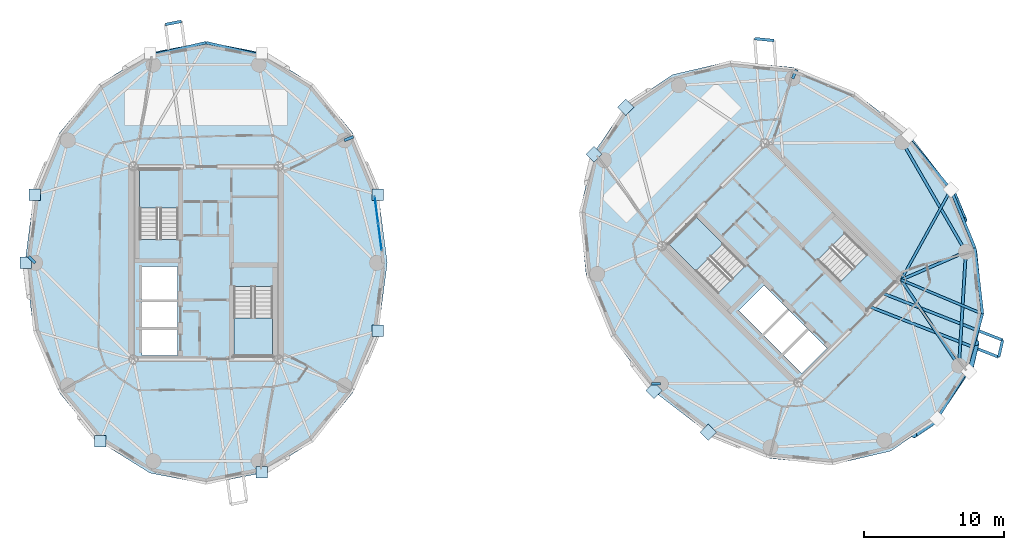
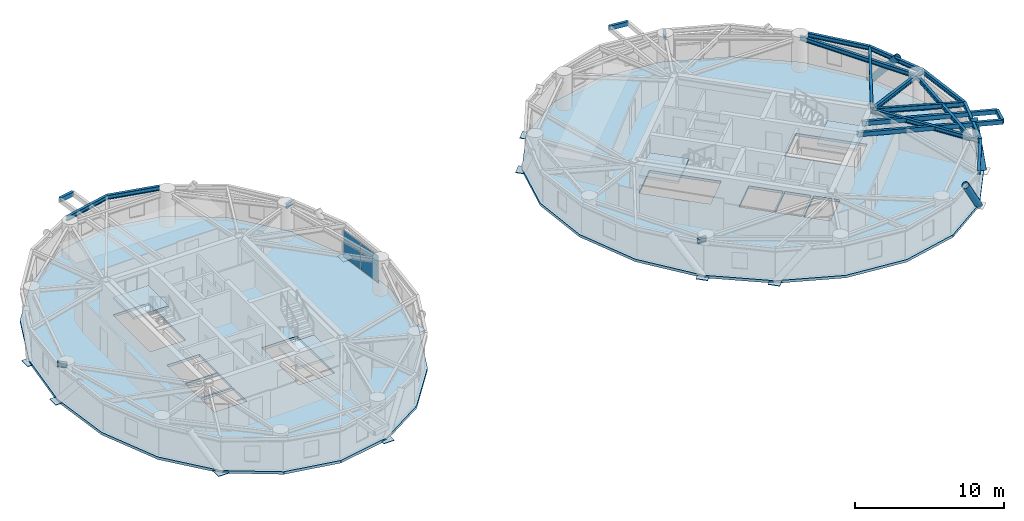
# One storey, part 6 of 14: 22 beams, 14 plates, 6 slabs, 3 members, 5 elements without a shape of their own.
"""IFC4 building model written with IfcOpenShell, lengths in metres."""

from ifc_helpers import new_model, si_unit, direction, frame, origin, origin_2d, place, context, subcontext, project, spatial, polyline, rectangle, hollow_rectangle, hollow_circle, i_section, outline, extrude, source, transform, mapped, material, layer, layer_set, material_profile, profile_set, type_object, element, aggregate, save


model = new_model("IFC4")

# Units and contexts
model_context = context("Model", 3, precision=1e-05, world=origin(), true_north=direction((0.0, 1.0)))
body_context = subcontext(model_context, "Body", "Model", "MODEL_VIEW")
ifc_project = project(units=[si_unit("LENGTHUNIT", "METRE"), si_unit("AREAUNIT", "SQUARE_METRE"), si_unit("VOLUMEUNIT", "CUBIC_METRE"), si_unit("PLANEANGLEUNIT", "RADIAN"), si_unit("MASSUNIT", "GRAM", prefix="KILO")], contexts=[model_context])

# Site, building, storey
site_placement = place(None, origin())
site = spatial("IfcSite", under=ifc_project, at=site_placement, CompositionType="ELEMENT")
building_placement = place(site_placement, origin())
building = spatial("IfcBuilding", under=site, at=building_placement, Name="Cununo Teusaquillo Station Towers", CompositionType="ELEMENT")
storey_placement = place(building_placement, frame((0.0, 0.0, 202.47998046875)))
storey = spatial("IfcBuildingStorey", under=building, at=storey_placement, Name="L64", CompositionType="ELEMENT", Elevation=202.47998046875)

# Beams
ifc_material_1 = material(Name="Steel EN 10025-2 S355J2", Category="steel")
ifc_material_profile_1 = material_profile(ifc_material_1, hollow_rectangle(XDim=0.199951171875, YDim=0.35009765625, WallThickness=0.013916015625, at=origin_2d()), Name="RHS 350x200x14")
ifc_profile_set_1 = profile_set([ifc_material_profile_1], Name="Steel EN 10025-2 S355J2")
beam_type_1 = type_object("IfcBeamType", Name="BM-BAL-CANT", PredefinedType="BEAM", material=ifc_profile_set_1)
beam_1_placement = place(storey_placement, frame((63.785888671875, 21.38134765625, 2.52490234375), z_axis=(0.931262493406, -0.364348965109, 0.0), x_axis=(0.364348965109, 0.931262493406, 0.0)))
element("IfcBeam", 1, at=beam_1_placement, inside=storey, type_object=beam_type_1, Name="L64 Tower B Balcony Cantilever Bracket 2A", PredefinedType="BEAM", context=body_context, shape_type="SweptSolid", body=[
    extrude(hollow_rectangle(XDim=0.199951171875, YDim=0.35009765625, WallThickness=0.013916015625, at=origin_2d()), origin(), (0.0, 0.0, 1.0), 9.8662109375),
])
beam_2_placement = place(storey_placement, frame((64.73388671875, 22.329345703125, 2.52490234375), z_axis=(0.931259704605, -0.364356093101, 0.0), x_axis=(0.364356093101, 0.931259704605, 0.0)))
element("IfcBeam", 2, at=beam_2_placement, inside=storey, type_object=beam_type_1, Name="L64 Tower B Balcony Cantilever Bracket 2B", PredefinedType="BEAM", context=body_context, shape_type="SweptSolid", body=[
    extrude(hollow_rectangle(XDim=0.199951171875, YDim=0.35009765625, WallThickness=0.013916015625, at=origin_2d()), origin(), (0.0, 0.0, 1.0), 9.151123046875),
])
ifc_material_2 = material(Name="Steel ASTM A572 Grade 50", Category="steel")
ifc_material_profile_2 = material_profile(ifc_material_2, i_section(OverallWidth=0.180908203125, OverallDepth=0.4169921875, WebThickness=0.010986328125, FlangeThickness=0.018310546875, FilletRadius=0.012939453125, at=origin_2d()), Name="W16X57")
ifc_profile_set_2 = profile_set([ifc_material_profile_2], Name="Steel ASTM A572 Grade 50")
beam_type_2 = type_object("IfcBeamType", Name="BM-JOIST-1", PredefinedType="JOIST", material=ifc_profile_set_2)
beam_3_placement = place(storey_placement, frame((66.024169921875, 23.29443359375, 2.491455078125), z_axis=(0.922169338565, -0.386786389381, 0.0), x_axis=(0.386786389381, 0.922169338565, 0.0)))
element("IfcBeam", 3, at=beam_3_placement, inside=storey, type_object=beam_type_2, Name="L64 Tower B Radial Spandrel Joist V17", PredefinedType="JOIST", context=body_context, shape_type="SweptSolid", body=[
    extrude(i_section(OverallWidth=0.180908203125, OverallDepth=0.4169921875, WebThickness=0.010986328125, FlangeThickness=0.018310546875, FilletRadius=0.012939453125, at=origin_2d()), origin(), (0.0, 0.0, 1.0), 6.281005859375),
])
beam_4_placement = place(storey_placement, frame((66.024169921875, 23.29443359375, 2.491455078125), z_axis=(0.483552544108, 0.8753153358, 0.0), x_axis=(-0.8753153358, 0.483552544108, 0.0)))
element("IfcBeam", 4, at=beam_4_placement, inside=storey, type_object=beam_type_2, Name="L64 Tower B Radial Spandrel Joist V19", PredefinedType="JOIST", context=body_context, shape_type="SweptSolid", body=[
    extrude(i_section(OverallWidth=0.180908203125, OverallDepth=0.4169921875, WebThickness=0.010986328125, FlangeThickness=0.018310546875, FilletRadius=0.012939453125, at=origin_2d()), origin(), (0.0, 0.0, 1.0), 7.3330078125),
])
ifc_material_3 = material(Name="Steel ASTM A572 Grade 50", Category="steel")
ifc_material_profile_3 = material_profile(ifc_material_3, i_section(OverallWidth=0.2041015625, OverallDepth=0.35009765625, WebThickness=0.008544921875, FlangeThickness=0.01513671875, FilletRadius=0.011962890625, at=origin_2d()), Name="W14X48")
ifc_profile_set_3 = profile_set([ifc_material_profile_3], Name="Steel ASTM A572 Grade 50")
beam_type_3 = type_object("IfcBeamType", Name="BM-RAD-G3", PredefinedType="BEAM", material=ifc_profile_set_3)
beam_5_placement = place(storey_placement, frame((26.347412109375, 33.228515625, 2.52490234375), z_axis=(0.929761307449, 0.368162886738, 0.0), x_axis=(-0.368162886738, 0.929761307449, 0.0)))
element("IfcBeam", 5, at=beam_5_placement, inside=storey, type_object=beam_type_3, Name="L64 Tower A Perimeter Overhang Girder 02B", PredefinedType="BEAM", context=body_context, shape_type="SweptSolid", body=[
    extrude(i_section(OverallWidth=0.2041015625, OverallDepth=0.35009765625, WebThickness=0.008544921875, FlangeThickness=0.01513671875, FilletRadius=0.011962890625, at=origin_2d()), origin(), (0.0, 0.0, 1.0), 0.691650390625),
])
beam_6_placement = place(storey_placement, frame((4.327880859375, 24.5, 2.52490234375), z_axis=(-0.712904743691, 0.701260883283, 0.0), x_axis=(-0.701260883283, -0.712904743691, 0.0)))
element("IfcBeam", 6, at=beam_6_placement, inside=storey, type_object=beam_type_3, Name="L64 Tower A Perimeter Overhang Girder 06B", PredefinedType="BEAM", context=body_context, shape_type="SweptSolid", body=[
    extrude(i_section(OverallWidth=0.2041015625, OverallDepth=0.35009765625, WebThickness=0.008544921875, FlangeThickness=0.01513671875, FilletRadius=0.011962890625, at=origin_2d()), origin(), (0.0, 0.0, 1.0), 0.64990234375),
])
beam_7_placement = place(storey_placement, frame((58.291015625, 37.63525390625, 2.52490234375), z_axis=(0.397409333503, 0.917641445034, 0.0), x_axis=(-0.917641445034, 0.397409333503, 0.0)))
element("IfcBeam", 7, at=beam_7_placement, inside=storey, type_object=beam_type_3, Name="L64 Tower B Perimeter Overhang Girder 02B", PredefinedType="BEAM", context=body_context, shape_type="SweptSolid", body=[
    extrude(i_section(OverallWidth=0.2041015625, OverallDepth=0.35009765625, WebThickness=0.008544921875, FlangeThickness=0.01513671875, FilletRadius=0.011962890625, at=origin_2d()), origin(), (0.0, 0.0, 1.0), 0.691650390625),
])
beam_8_placement = place(storey_placement, frame((48.89306640625, 15.89306640625, 2.52490234375), z_axis=(-0.999962704276, -0.008636553586, 0.0), x_axis=(0.008636553586, -0.999962704276, 0.0)))
element("IfcBeam", 8, at=beam_8_placement, inside=storey, type_object=beam_type_3, Name="L64 Tower B Perimeter Overhang Girder 06B", PredefinedType="BEAM", context=body_context, shape_type="SweptSolid", body=[
    extrude(i_section(OverallWidth=0.2041015625, OverallDepth=0.35009765625, WebThickness=0.008544921875, FlangeThickness=0.01513671875, FilletRadius=0.011962890625, at=origin_2d()), origin(), (0.0, 0.0, 1.0), 0.650146484375),
])
beam_9_placement = place(storey_placement, frame((66.024169921875, 23.29443359375, 2.52490234375), z_axis=(0.558570844079, -0.829456817529, 0.0), x_axis=(0.829456817529, 0.558570844079, 0.0)))
element("IfcBeam", 9, at=beam_9_placement, inside=storey, type_object=beam_type_3, Name="L64 Tower B Continuous Overhanging Radial Girder 09", PredefinedType="BEAM", context=body_context, shape_type="SweptSolid", body=[
    extrude(i_section(OverallWidth=0.2041015625, OverallDepth=0.35009765625, WebThickness=0.008544921875, FlangeThickness=0.01513671875, FilletRadius=0.011962890625, at=origin_2d()), origin(), (0.0, 0.0, 1.0), 8.1240234375),
])
beam_10_placement = place(storey_placement, frame((66.024169921875, 23.29443359375, 2.52490234375), z_axis=(0.917665176837, 0.397354530893, 0.0), x_axis=(-0.397354530893, 0.917665176837, 0.0)))
element("IfcBeam", 10, at=beam_10_placement, inside=storey, type_object=beam_type_3, Name="L64 Tower B Continuous Overhanging Radial Girder 10", PredefinedType="BEAM", context=body_context, shape_type="SweptSolid", body=[
    extrude(i_section(OverallWidth=0.2041015625, OverallDepth=0.35009765625, WebThickness=0.008544921875, FlangeThickness=0.01513671875, FilletRadius=0.011962890625, at=origin_2d()), origin(), (0.0, 0.0, 1.0), 5.716552734375),
])
ifc_material_4 = material(Name="Steel ASTM A572 Grade 50", Category="steel")
ifc_material_profile_4 = material_profile(ifc_material_4, i_section(OverallWidth=0.2041015625, OverallDepth=0.35009765625, WebThickness=0.008544921875, FlangeThickness=0.01513671875, FilletRadius=0.011962890625, at=origin_2d()), Name="W14X48")
ifc_profile_set_4 = profile_set([ifc_material_profile_4], Name="Steel ASTM A572 Grade 50")
beam_type_4 = type_object("IfcBeamType", Name="BM-RING-Z4", PredefinedType="SPANDREL", material=ifc_profile_set_4)
for number, where, z_axis, x_axis, name in (
    (11, (20.118896484375, 39.353515625, 2.52490234375), (-0.97431470066, 0.225190728224, 0.0), (-0.225190728224, -0.97431470066, 0.0), "L64 Tower A Spandrel Ring Beam 05"),
    (12, (16.5, 40.18994140625, 2.52490234375), (-0.97431470066, -0.225190728224, 0.0), (0.225190728224, -0.97431470066, 0.0), "L64 Tower A Spandrel Ring Beam 06"),
):
    element("IfcBeam", number, at=place(storey_placement, frame(where, z_axis=z_axis, x_axis=x_axis)), inside=storey, type_object=beam_type_4, Name=name, PredefinedType="SPANDREL", context=body_context, shape_type="SweptSolid", body=[
        extrude(i_section(OverallWidth=0.2041015625, OverallDepth=0.35009765625, WebThickness=0.008544921875, FlangeThickness=0.01513671875, FilletRadius=0.011962890625, at=origin_2d()), origin(), (0.0, 0.0, 1.0), 3.71435546875),
    ])
beam_11_placement = place(storey_placement, frame((70.146240234375, 17.173095703125, 2.52490234375), z_axis=(0.06012979176, 0.998190567048, 0.0), x_axis=(-0.998190567048, 0.06012979176, 0.0)))
element("IfcBeam", 13, at=beam_11_placement, inside=storey, type_object=beam_type_4, Name="L64 Tower B Structural Column Ring Girder 09", PredefinedType="SPANDREL", context=body_context, shape_type="SweptSolid", body=[
    extrude(i_section(OverallWidth=0.2041015625, OverallDepth=0.35009765625, WebThickness=0.008544921875, FlangeThickness=0.01513671875, FilletRadius=0.011962890625, at=origin_2d()), origin(), (0.0, 0.0, 1.0), 8.132568359375),
])
beam_12_placement = place(storey_placement, frame((70.63525390625, 25.291015625, 2.52490234375), z_axis=(-0.501311121078, 0.865267103202, 0.0), x_axis=(-0.865267103202, -0.501311121078, 0.0)))
element("IfcBeam", 14, at=beam_12_placement, inside=storey, type_object=beam_type_4, Name="L64 Tower B Structural Column Ring Girder 10", PredefinedType="SPANDREL", context=body_context, shape_type="SweptSolid", body=[
    extrude(i_section(OverallWidth=0.2041015625, OverallDepth=0.35009765625, WebThickness=0.008544921875, FlangeThickness=0.01513671875, FilletRadius=0.011962890625, at=origin_2d()), origin(), (0.0, 0.0, 1.0), 9.032958984375),
])
beam_13_placement = place(storey_placement, frame((68.594482421875, 13.405517578125, 2.52490234375), z_axis=(0.529715312739, 0.848175505099, 0.0), x_axis=(-0.848175505099, 0.529715312739, 0.0)))
element("IfcBeam", 15, at=beam_13_placement, inside=storey, type_object=beam_type_4, Name="L64 Tower B Spandrel Ring Beam 16", PredefinedType="SPANDREL", context=body_context, shape_type="SweptSolid", body=[
    extrude(i_section(OverallWidth=0.2041015625, OverallDepth=0.35009765625, WebThickness=0.008544921875, FlangeThickness=0.01513671875, FilletRadius=0.011962890625, at=origin_2d()), origin(), (0.0, 0.0, 1.0), 3.71435546875),
])
beam_14_placement = place(storey_placement, frame((70.56201171875, 16.555908203125, 2.52490234375), z_axis=(0.279502797802, 0.96014487762, 0.0), x_axis=(-0.96014487762, 0.279502797802, 0.0)))
element("IfcBeam", 16, at=beam_14_placement, inside=storey, type_object=beam_type_4, Name="L64 Tower B Spandrel Ring Beam 17", PredefinedType="SPANDREL", context=body_context, shape_type="SweptSolid", body=[
    extrude(i_section(OverallWidth=0.2041015625, OverallDepth=0.35009765625, WebThickness=0.008544921875, FlangeThickness=0.01513671875, FilletRadius=0.011962890625, at=origin_2d()), origin(), (0.0, 0.0, 1.0), 4.488037109375),
])
beam_15_placement = place(storey_placement, frame((71.81640625, 20.864990234375, 2.52490234375), z_axis=(-0.115452326356, 0.993313022334, 0.0), x_axis=(-0.993313022334, -0.115452326356, 0.0)))
element("IfcBeam", 17, at=beam_15_placement, inside=storey, type_object=beam_type_4, Name="L64 Tower B Spandrel Ring Beam 18", PredefinedType="SPANDREL", context=body_context, shape_type="SweptSolid", body=[
    extrude(i_section(OverallWidth=0.2041015625, OverallDepth=0.35009765625, WebThickness=0.008544921875, FlangeThickness=0.01513671875, FilletRadius=0.011962890625, at=origin_2d()), origin(), (0.0, 0.0, 1.0), 4.732666015625),
])
beam_16_placement = place(storey_placement, frame((71.27001953125, 25.56591796875, 2.52490234375), z_axis=(-0.379275405388, 0.925283830437, 0.0), x_axis=(-0.925283830437, -0.379275405388, 0.0)))
element("IfcBeam", 18, at=beam_16_placement, inside=storey, type_object=beam_type_4, Name="L64 Tower B Spandrel Ring Beam 19", PredefinedType="SPANDREL", context=body_context, shape_type="SweptSolid", body=[
    extrude(i_section(OverallWidth=0.2041015625, OverallDepth=0.35009765625, WebThickness=0.008544921875, FlangeThickness=0.01513671875, FilletRadius=0.011962890625, at=origin_2d()), origin(), (0.0, 0.0, 1.0), 4.482177734375),
])
beam_17_placement = place(storey_placement, frame((69.570068359375, 29.713134765625, 2.52490234375), z_axis=(-0.637524682095, 0.770429931739, 0.0), x_axis=(-0.770429931739, -0.637524682095, 0.0)))
element("IfcBeam", 19, at=beam_17_placement, inside=storey, type_object=beam_type_4, Name="L64 Tower B Spandrel Ring Beam 20", PredefinedType="SPANDREL", context=body_context, shape_type="SweptSolid", body=[
    extrude(i_section(OverallWidth=0.2041015625, OverallDepth=0.35009765625, WebThickness=0.008544921875, FlangeThickness=0.01513671875, FilletRadius=0.011962890625, at=origin_2d()), origin(), (0.0, 0.0, 1.0), 4.412353515625),
])
ifc_material_5 = material(Name="Steel EN 10025-2 S355J2", Category="steel")
ifc_material_profile_5 = material_profile(ifc_material_5, hollow_rectangle(XDim=0.199951171875, YDim=0.35009765625, WallThickness=0.013916015625, at=origin_2d()), Name="RHS 350x200x14")
ifc_profile_set_5 = profile_set([ifc_material_profile_5], Name="Steel EN 10025-2 S355J2")
beam_type_5 = type_object("IfcBeamType", Name="BM-STAIR-TRIM", PredefinedType="BEAM", material=ifc_profile_set_5)
beam_18_placement = place(storey_placement, frame((14.73828125, 41.708984375, 2.52490234375), z_axis=(-0.981857200028, -0.189621830897, 0.0), x_axis=(0.189621830897, -0.981857200028, 0.0)))
element("IfcBeam", 20, at=beam_18_placement, inside=storey, type_object=beam_type_5, Name="L64 Tower A Balcony Edge Trimmer Beam 1", PredefinedType="BEAM", context=body_context, shape_type="SweptSolid", body=[
    extrude(hollow_rectangle(XDim=0.199951171875, YDim=0.35009765625, WallThickness=0.013916015625, at=origin_2d()), origin(), (0.0, 0.0, 1.0), 1.157470703125),
])
beam_19_placement = place(storey_placement, frame((56.953125, 40.34423828125, 2.52490234375), z_axis=(-0.995130284022, 0.098568340868, 0.0), x_axis=(-0.098568340868, -0.995130284022, 0.0)))
element("IfcBeam", 21, at=beam_19_placement, inside=storey, type_object=beam_type_5, Name="L64 Tower B Balcony Edge Trimmer Beam 1", PredefinedType="BEAM", context=body_context, shape_type="SweptSolid", body=[
    extrude(hollow_rectangle(XDim=0.199951171875, YDim=0.35009765625, WallThickness=0.013916015625, at=origin_2d()), origin(), (0.0, 0.0, 1.0), 1.36962890625),
])
beam_20_placement = place(storey_placement, frame((72.973876953125, 17.78662109375, 2.52490234375), z_axis=(0.227229615606, 0.973841209742, 0.0), x_axis=(-0.973841209742, 0.227229615606, 0.0)))
element("IfcBeam", 22, at=beam_20_placement, inside=storey, type_object=beam_type_5, Name="L64 Tower B Balcony Edge Trimmer Beam 2", PredefinedType="BEAM", context=body_context, shape_type="SweptSolid", body=[
    extrude(hollow_rectangle(XDim=0.199951171875, YDim=0.35009765625, WallThickness=0.013916015625, at=origin_2d()), origin(), (0.0, 0.0, 1.0), 1.240966796875),
])

# Members
ifc_material_6 = material(Name="Steel EN 10025-2 S355J2", Category="steel")
ifc_material_profile_6 = material_profile(ifc_material_6, hollow_circle(Radius=0.25390625, WallThickness=0.01806640625, at=origin_2d()), Name="CHS 508x18")
ifc_profile_set_6 = profile_set([ifc_material_profile_6], Name="Steel EN 10025-2 S355J2")
member_type = type_object("IfcMemberType", Name="MBR-DIAG-Z4", PredefinedType="BRACE", material=ifc_profile_set_6)
member_1_placement = place(storey_placement, frame((68.594482421875, 13.405517578125, -0.139892578125), z_axis=(-0.472769490674, -0.31961201796, 0.821180349657), x_axis=(0.560065734295, -0.828448171746, 0.0)))
element("IfcMember", 23, at=member_1_placement, inside=storey, type_object=member_type, Name="L64 Tower B Folded-Zigzag Diagrid Tube C14", PredefinedType="BRACE", context=body_context, shape_type="SweptSolid", body=[
    extrude(hollow_circle(Radius=0.25390625, WallThickness=0.01806640625, at=origin_2d()), origin(), (0.0, 0.0, 1.0), 3.54345703125),
])
member_2_placement = place(storey_placement, frame((70.859375, 16.75634765625, -0.139892578125), z_axis=(0.13314050396, 0.571621092256, 0.809643707499), x_axis=(-0.973930772574, 0.226845432471, 0.0)))
element("IfcMember", 24, at=member_2_placement, inside=storey, type_object=member_type, Name="L64 Tower B Folded-Zigzag Diagrid Tube C16", PredefinedType="BRACE", context=body_context, shape_type="SweptSolid", body=[
    extrude(hollow_circle(Radius=0.25390625, WallThickness=0.01806640625, at=origin_2d()), origin(), (0.0, 0.0, 1.0), 3.593994140625),
])
member_3_placement = place(storey_placement, frame((69.570068359375, 29.713134765625, -0.139892578125), z_axis=(0.240125007618, -0.584015766292, 0.775413157896), x_axis=(0.924874275738, 0.380273025704, 0.0)))
element("IfcMember", 25, at=member_3_placement, inside=storey, type_object=member_type, Name="L64 Tower B Folded-Zigzag Diagrid Tube C18", PredefinedType="BRACE", context=body_context, shape_type="SweptSolid", body=[
    extrude(hollow_circle(Radius=0.25390625, WallThickness=0.01806640625, at=origin_2d()), origin(), (0.0, 0.0, 1.0), 3.752685546875),
])

# Stair, slab
ifc_material_7 = material(Name="Concrete C50/60", Category="concrete")
stair_type = type_object("IfcStairType", Name="ST-TWR-1300", PredefinedType="HALF_TURN_STAIR", material=ifc_material_7)
stair_1_placement = place(storey_placement, origin())
stair_1 = element("IfcStair", 26, at=stair_1_placement, inside=storey, type_object=stair_type, Name="L64 Tower A Protected Core Exit Stair 1", PredefinedType="HALF_TURN_STAIR")
ifc_material_8 = material(Name="Concrete C50/60", Category="concrete")
ifc_layer_1 = layer(ifc_material_8, 0.199951171875)
ifc_layer_set_1 = layer_set([ifc_layer_1], Name="Concrete C50/60")
slab_type_1 = type_object("IfcSlabType", Name="SLB-STAIR-LND", PredefinedType="LANDING", material=ifc_layer_set_1)
slab_1_placement = place(storey_placement, frame((0.0, 0.0, 1.255126953125)))
slab_1 = element("IfcSlab", 27, at=slab_1_placement, type_object=slab_type_1, Name="ST-T1-1 landing 1", PredefinedType="LANDING", context=body_context, shape_type="SweptSolid", body=[
    extrude(outline(polyline([(14.52001953125, 28.409912109375), (14.52001953125, 31.159912109375), (11.760009765625, 31.159912109375), (11.760009765625, 28.409912109375), (14.52001953125, 28.409912109375)])), origin(), (0.0, 0.0, 1.0), 0.199951171875),
])
aggregate(stair_1, [slab_1])

stair_2_placement = place(storey_placement, origin())
stair_2 = element("IfcStair", 28, at=stair_2_placement, inside=storey, type_object=stair_type, Name="L64 Tower A Protected Core Exit Stair 2", PredefinedType="HALF_TURN_STAIR")
slab_2_placement = place(storey_placement, frame((0.0, 0.0, 1.255126953125)))
slab_2 = element("IfcSlab", 29, at=slab_2_placement, type_object=slab_type_1, Name="ST-T1-2 landing 1", PredefinedType="LANDING", context=body_context, shape_type="SweptSolid", body=[
    extrude(outline(polyline([(18.47998046875, 20.590087890625), (18.47998046875, 17.840087890625), (21.239990234375, 17.840087890625), (21.239990234375, 20.590087890625), (18.47998046875, 20.590087890625)])), origin(), (0.0, 0.0, 1.0), 0.199951171875),
])
aggregate(stair_2, [slab_2])

stair_3_placement = place(storey_placement, origin())
stair_3 = element("IfcStair", 30, at=stair_3_placement, inside=storey, type_object=stair_type, Name="L64 Tower B Protected Core Exit Stair 1", PredefinedType="HALF_TURN_STAIR")
slab_3_placement = place(storey_placement, frame((0.0, 0.0, 1.255126953125)))
slab_3 = element("IfcSlab", 31, at=slab_3_placement, type_object=slab_type_1, Name="ST-T2-1 landing 1", PredefinedType="LANDING", context=body_context, shape_type="SweptSolid", body=[
    extrude(outline(polyline([(53.335205078125, 25.86474609375), (51.390625, 27.809326171875), (49.43896484375, 25.857666015625), (51.383544921875, 23.9130859375), (53.335205078125, 25.86474609375)])), origin(), (0.0, 0.0, 1.0), 0.199951171875),
])
aggregate(stair_3, [slab_3])

stair_4_placement = place(storey_placement, origin())
stair_4 = element("IfcStair", 32, at=stair_4_placement, inside=storey, type_object=stair_type, Name="L64 Tower B Protected Core Exit Stair 2", PredefinedType="HALF_TURN_STAIR")
slab_4_placement = place(storey_placement, frame((0.0, 0.0, 1.255126953125)))
slab_4 = element("IfcSlab", 33, at=slab_4_placement, type_object=slab_type_1, Name="ST-T2-2 landing 1", PredefinedType="LANDING", context=body_context, shape_type="SweptSolid", body=[
    extrude(outline(polyline([(61.664794921875, 23.13525390625), (63.609375, 21.190673828125), (65.56103515625, 23.142333984375), (63.616455078125, 25.0869140625), (61.664794921875, 23.13525390625)])), origin(), (0.0, 0.0, 1.0), 0.199951171875),
])
aggregate(stair_4, [slab_4])

# Slabs
ifc_material_9 = material(Name="Concrete C40/50", Category="concrete")
ifc_layer_2 = layer(ifc_material_9, 0.2099609375)
ifc_layer_set_2 = layer_set([ifc_layer_2], Name="Concrete C40/50")
slab_type_2 = type_object("IfcSlabType", Name="SLB-Z4-200", PredefinedType="FLOOR", material=ifc_layer_set_2)
slab_5_placement = place(storey_placement, frame((0.0, 0.0, -0.2099609375)))
element("IfcSlab", 34, at=slab_5_placement, inside=storey, type_object=slab_type_2, Name="L64 Tower A Floor Slab", PredefinedType="FLOOR", context=body_context, shape_type="SweptSolid", body=[
    extrude(outline(polyline([(29.409912109375, 24.5), (28.778076171875, 29.366943359375), (26.9443359375, 33.757568359375), (24.08837890625, 37.241943359375), (20.489501953125, 39.47900390625), (16.5, 40.25), (12.510498046875, 39.47900390625), (8.91162109375, 37.241943359375), (6.0556640625, 33.757568359375), (4.221923828125, 29.366943359375), (3.590087890625, 24.5), (4.221923828125, 19.633056640625), (6.0556640625, 15.242431640625), (8.91162109375, 11.758056640625), (12.510498046875, 9.52099609375), (16.5, 8.75), (20.489501953125, 9.52099609375), (24.08837890625, 11.758056640625), (26.9443359375, 15.242431640625), (28.778076171875, 19.633056640625), (29.409912109375, 24.5)]), holes=[polyline([(14.52001953125, 26.176025390625), (14.52001953125, 31.159912109375), (11.760009765625, 31.159912109375), (11.760009765625, 26.176025390625), (14.52001953125, 26.176025390625)]), polyline([(18.47998046875, 22.823974609375), (18.47998046875, 17.840087890625), (21.239990234375, 17.840087890625), (21.239990234375, 22.823974609375), (18.47998046875, 22.823974609375)]), polyline([(11.949951171875, 21.85009765625), (14.47998046875, 21.85009765625), (14.47998046875, 24.25), (11.949951171875, 24.25), (11.949951171875, 21.85009765625)]), polyline([(11.949951171875, 17.89990234375), (14.47998046875, 17.89990234375), (14.47998046875, 19.75), (11.949951171875, 19.75), (11.949951171875, 17.89990234375)]), polyline([(11.949951171875, 19.89990234375), (14.47998046875, 19.89990234375), (14.47998046875, 21.75), (11.949951171875, 21.75), (11.949951171875, 19.89990234375)])]), origin(), (0.0, 0.0, 1.0), 0.2099609375),
])
slab_6_placement = place(storey_placement, frame((0.0, 0.0, -0.2099609375)))
element("IfcSlab", 35, at=slab_6_placement, inside=storey, type_object=slab_type_2, Name="L64 Tower B Floor Slab", PredefinedType="FLOOR", context=body_context, shape_type="SweptSolid", body=[
    extrude(outline(polyline([(66.628662109375, 33.628662109375), (62.740478515625, 36.623291015625), (58.339111328125, 38.431396484375), (53.855712890625, 38.875732421875), (49.72900390625, 37.912841796875), (46.363037109375, 35.636962890625), (44.087158203125, 32.27099609375), (43.124267578125, 28.144287109375), (43.568603515625, 23.660888671875), (45.376708984375, 19.259521484375), (48.371337890625, 15.371337890625), (52.259521484375, 12.376708984375), (56.660888671875, 10.568603515625), (61.144287109375, 10.124267578125), (65.27099609375, 11.087158203125), (68.636962890625, 13.363037109375), (70.912841796875, 16.72900390625), (71.875732421875, 20.855712890625), (71.431396484375, 25.339111328125), (69.623291015625, 29.740478515625), (66.628662109375, 33.628662109375)]), holes=[polyline([(54.914794921875, 24.28515625), (51.390625, 27.809326171875), (49.43896484375, 25.857666015625), (52.963134765625, 22.33349609375), (54.914794921875, 24.28515625)]), polyline([(60.085205078125, 24.71484375), (63.609375, 21.190673828125), (65.56103515625, 23.142333984375), (62.036865234375, 26.66650390625), (60.085205078125, 24.71484375)]), polyline([(56.156494140625, 19.40869140625), (57.945556640625, 21.19775390625), (56.248291015625, 22.89501953125), (54.45947265625, 21.10595703125), (56.156494140625, 19.40869140625)]), polyline([(58.94970703125, 16.61572265625), (60.738525390625, 18.40478515625), (59.430419921875, 19.712890625), (57.641357421875, 17.923828125), (58.94970703125, 16.61572265625)]), polyline([(57.535400390625, 18.030029296875), (59.32421875, 19.819091796875), (58.01611328125, 21.127197265625), (56.227294921875, 19.338134765625), (57.535400390625, 18.030029296875)])]), origin(), (0.0, 0.0, 1.0), 0.2099609375),
])

# Plates
ifc_material_10 = material(Name="Steel ASTM A572 Grade 50", Category="steel")
ifc_layer_3 = layer(ifc_material_10, 0.044921875)
ifc_layer_set_3 = layer_set([ifc_layer_3], Name="Steel ASTM A572 Grade 50")
plate_type_1 = type_object("IfcPlateType", Name="PLT-NODE-DN2", PredefinedType="USERDEFINED", material=ifc_layer_set_3)
shared_shape_1 = source(origin(), body_context, "Body", "SweptSolid", [
    extrude(rectangle(XDim=0.820068359375, YDim=0.820068359375, at=origin_2d()), origin(), (0.0, 0.0, 1.0), 0.044921875),
])
for number, where, z_axis, x_axis, name in (
    (36, (28.72119140625, 29.348388671875, -0.162353515625), (0.0, 0.0, 1.0), (1.0, 0.0, 0.0), "L64 Tower A Diagrid Node Assembly C01"),
    (37, (4.27880859375, 29.348388671875, -0.162353515625), (0.0, 0.0, 1.0), (1.0, 0.0, 0.0), "L64 Tower A Diagrid Node Assembly C08"),
    (38, (3.64990234375, 24.5, -0.162353515625), (0.0, 0.0, 1.0), (1.0, 0.0, 0.0), "L64 Tower A Diagrid Node Assembly C10"),
    (39, (8.947021484375, 11.806396484375, -0.162353515625), (0.0, 0.0, 1.0), (1.0, 0.0, 0.0), "L64 Tower A Diagrid Node Assembly C12"),
    (40, (20.470947265625, 9.577880859375, -0.162353515625), (0.0, 0.0, 1.0), (1.0, 0.0, 0.0), "L64 Tower A Diagrid Node Assembly C16"),
    (41, (28.72119140625, 19.651611328125, -0.162353515625), (0.0, 0.0, 1.0), (1.0, 0.0, 0.0), "L64 Tower A Diagrid Node Assembly C18"),
    (42, (46.405517578125, 35.594482421875, -0.162353515625), (0.0, 0.0, 1.0), (0.707106781187, 0.707106781187, 0.0), "L64 Tower B Diagrid Node Assembly C04"),
    (43, (44.140625, 32.24365234375, -0.162353515625), (0.0, 0.0, 1.0), (0.707106781187, 0.707106781187, 0.0), "L64 Tower B Diagrid Node Assembly C06"),
    (44, (48.413818359375, 15.413818359375, -0.162353515625), (0.0, 0.0, 1.0), (0.707106781187, 0.707106781187, 0.0), "L64 Tower B Diagrid Node Assembly C09"),
    (45, (52.286865234375, 12.429931640625, -0.162353515625), (0.0, 0.0, 1.0), (0.707106781187, 0.707106781187, 0.0), "L64 Tower B Diagrid Node Assembly C11"),
):
    element("IfcPlate", number, at=place(storey_placement, frame(where, z_axis=z_axis, x_axis=x_axis)), inside=storey, type_object=plate_type_1, Name=name, ObjectType="GUSSET PLATE", PredefinedType="USERDEFINED", context=body_context, shape_type="MappedRepresentation", body=[
        mapped(shared_shape_1, transform((0.0, 0.0, 0.0), x_axis=(1.0, 0.0, 0.0), y_axis=(0.0, 1.0, 0.0), z_axis=(0.0, 0.0, 1.0), scale=1.0)),
    ])

# Curtain wall, plates
ifc_material_11 = material(Name="Ceramic-fritted dark low-E double glazing", Category="glass")
ifc_layer_4 = layer(ifc_material_11, 0.179931640625)
ifc_layer_set_4 = layer_set([ifc_layer_4], Name="Ceramic-fritted dark low-E double glazing")
curtain_wall_type = type_object("IfcCurtainWallType", Name="CW-SYS-07", PredefinedType="USERDEFINED", material=ifc_layer_set_4)
curtain_wall_placement = place(storey_placement, origin())
curtain_wall = element("IfcCurtainWall", 46, at=curtain_wall_placement, inside=storey, type_object=curtain_wall_type, Name="L64 Tower A Facade Curtain Wall C00", ObjectType="FRITTED GLAZING", PredefinedType="USERDEFINED")
ifc_material_12 = material(Name="Ceramic-fritted dark low-E double glazing", Category="glass")
ifc_layer_5 = layer(ifc_material_12, 0.028076171875)
ifc_layer_set_5 = layer_set([ifc_layer_5], Name="Ceramic-fritted dark low-E double glazing")
plate_type_2 = type_object("IfcPlateType", Name="CWP-FRIT-28", PredefinedType="CURTAIN_PANEL", material=ifc_layer_set_5)
shared_shape_2 = source(origin(), body_context, "Body", "SweptSolid", [
    extrude(rectangle(XDim=1.8876953125, YDim=0.028076171875, at=origin_2d()), origin(), (0.0, 0.0, 1.0), 1.41162109375),
])
plate_1_placement = place(storey_placement, frame((28.64111328125, 28.280029296875, 0.06494140625), z_axis=(0.0, 0.0, 1.0), x_axis=(0.12825264413, -0.991741528461, 0.0)))
plate_1 = element("IfcPlate", 47, at=plate_1_placement, type_object=plate_type_2, Name="CW-07 panel 1.1", PredefinedType="CURTAIN_PANEL", context=body_context, shape_type="MappedRepresentation", body=[
    mapped(shared_shape_2, transform((0.0, 0.0, 0.0), x_axis=(1.0, 0.0, 0.0), y_axis=(0.0, 1.0, 0.0), z_axis=(0.0, 0.0, 1.0), scale=1.0)),
])
plate_2_placement = place(storey_placement, frame((28.8916015625, 26.343505859375, 0.06494140625), z_axis=(0.0, 0.0, 1.0), x_axis=(0.12825264413, -0.991741528461, 0.0)))
plate_2 = element("IfcPlate", 48, at=plate_2_placement, type_object=plate_type_2, Name="CW-07 panel 2.1", PredefinedType="CURTAIN_PANEL", context=body_context, shape_type="MappedRepresentation", body=[
    mapped(shared_shape_2, transform((0.0, 0.0, 0.0), x_axis=(1.0, 0.0, 0.0), y_axis=(0.0, 1.0, 0.0), z_axis=(0.0, 0.0, 1.0), scale=1.0)),
])
shared_shape_3 = source(origin(), body_context, "Body", "SweptSolid", [
    extrude(rectangle(XDim=1.8876953125, YDim=0.028076171875, at=origin_2d()), origin(), (0.0, 0.0, 1.0), 0.715576171875),
])
plate_3_placement = place(storey_placement, frame((28.64111328125, 28.280029296875, 1.54150390625), z_axis=(0.0, 0.0, 1.0), x_axis=(0.12825264413, -0.991741528461, 0.0)))
plate_3 = element("IfcPlate", 49, at=plate_3_placement, type_object=plate_type_2, Name="CW-07 panel 1.2", PredefinedType="CURTAIN_PANEL", context=body_context, shape_type="MappedRepresentation", body=[
    mapped(shared_shape_3, transform((0.0, 0.0, 0.0), x_axis=(1.0, 0.0, 0.0), y_axis=(0.0, 1.0, 0.0), z_axis=(0.0, 0.0, 1.0), scale=1.0)),
])
plate_4_placement = place(storey_placement, frame((28.8916015625, 26.343505859375, 1.54150390625), z_axis=(0.0, 0.0, 1.0), x_axis=(0.12825264413, -0.991741528461, 0.0)))
plate_4 = element("IfcPlate", 50, at=plate_4_placement, type_object=plate_type_2, Name="CW-07 panel 2.2", PredefinedType="CURTAIN_PANEL", context=body_context, shape_type="MappedRepresentation", body=[
    mapped(shared_shape_3, transform((0.0, 0.0, 0.0), x_axis=(1.0, 0.0, 0.0), y_axis=(0.0, 1.0, 0.0), z_axis=(0.0, 0.0, 1.0), scale=1.0)),
])
aggregate(curtain_wall, [plate_1, plate_3, plate_2, plate_4])

save(model, "model.ifc")
